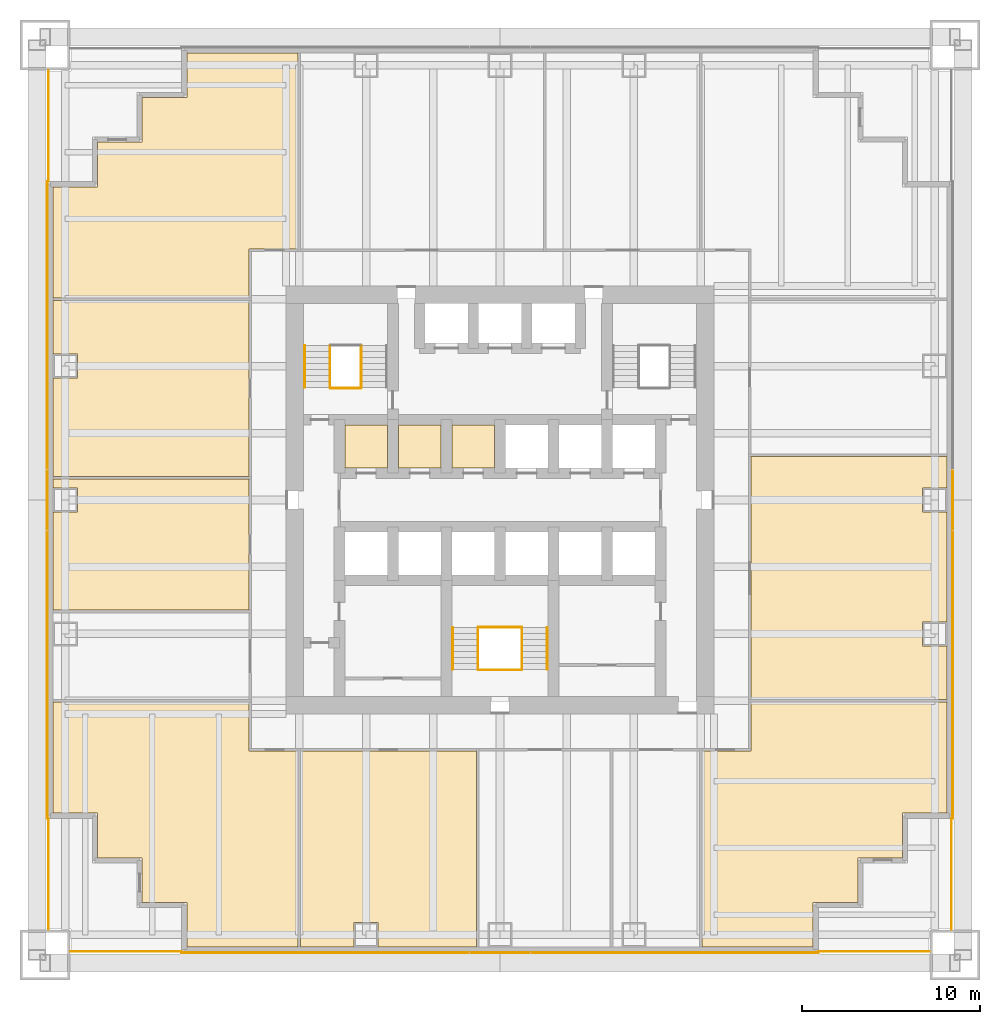
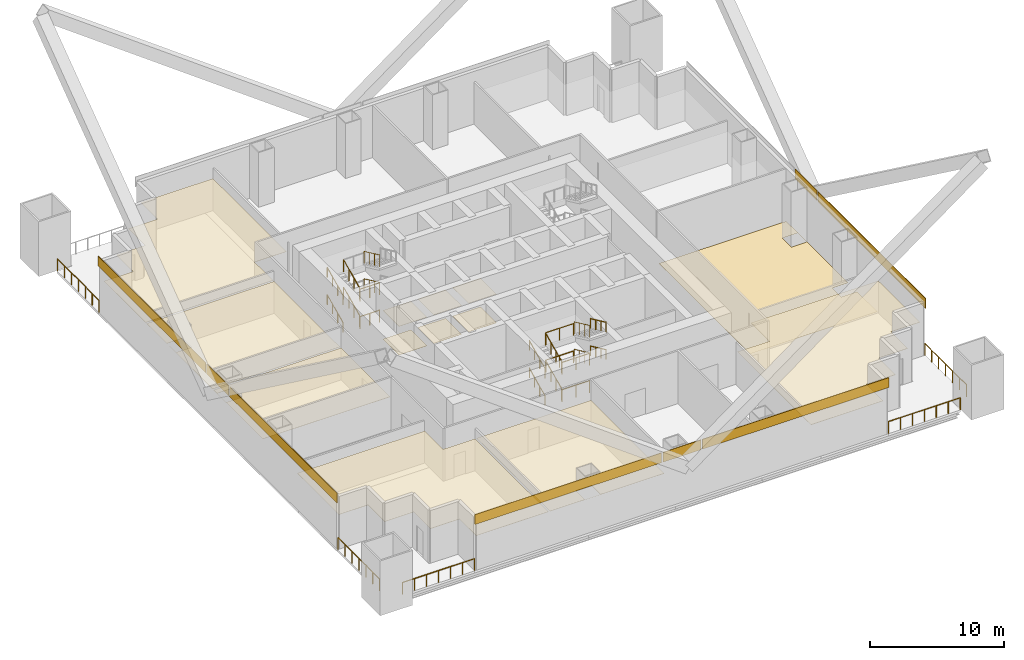
# One storey, part 5 of 6: 25 railings, 21 coverings.
"""IFC4 building model written with IfcOpenShell, lengths in metres."""

from ifc_helpers import new_model, si_unit, direction, frame, origin, origin_2d, place, context, subcontext, project, spatial, polyline, rectangle, circle, outline, extrude, material, layer, layer_set, type_object, element, save


model = new_model("IFC4")

# Units and contexts
model_context = context("Model", 3, precision=1e-05, world=origin(), true_north=direction((0.0, 1.0)))
body_context = subcontext(model_context, "Body", "Model", "MODEL_VIEW")
ifc_project = project(units=[si_unit("LENGTHUNIT", "METRE"), si_unit("AREAUNIT", "SQUARE_METRE"), si_unit("VOLUMEUNIT", "CUBIC_METRE"), si_unit("PLANEANGLEUNIT", "RADIAN"), si_unit("MASSUNIT", "GRAM", prefix="KILO")], contexts=[model_context])

# Site, building, storey
site_placement = place(None, origin())
site = spatial("IfcSite", under=ifc_project, at=site_placement, CompositionType="ELEMENT")
building_placement = place(site_placement, origin())
building = spatial("IfcBuilding", under=site, at=building_placement, Name="Tarangal Relay Tower", CompositionType="ELEMENT")
storey_placement = place(building_placement, frame((0.0, 0.0, 38.39990234375)))
storey = spatial("IfcBuildingStorey", under=building, at=storey_placement, Name="L07", CompositionType="ELEMENT", Elevation=38.39990234375)

# Coverings
ifc_material_1 = material(Name="Anti-static vinyl flooring", Category="plastic")
ifc_layer_1 = layer(ifc_material_1, 0.010009765625)
ifc_layer_set_1 = layer_set([ifc_layer_1], Name="Anti-static vinyl floor")
covering_type_1 = type_object("IfcCoveringType", Name="Anti-static vinyl floor", PredefinedType="FLOORING", material=ifc_layer_set_1)
covering_1_placement = place(storey_placement, origin())
element("IfcCovering", 1, at=covering_1_placement, inside=storey, type_object=covering_type_1, Name="Floor finish FL1 L07-D1", PredefinedType="FLOORING", context=body_context, shape_type="SweptSolid", body=[
    extrude(outline(polyline([(-8.699951171875, 1.800048828125), (-6.300048828125, 1.800048828125), (-6.300048828125, 4.199951171875), (-8.699951171875, 4.199951171875), (-8.699951171875, 1.800048828125)])), origin(), (0.0, 0.0, 1.0), 0.010009765625),
])
covering_2_placement = place(storey_placement, origin())
element("IfcCovering", 2, at=covering_2_placement, inside=storey, type_object=covering_type_1, Name="Floor finish FL1 L07-D2", PredefinedType="FLOORING", context=body_context, shape_type="SweptSolid", body=[
    extrude(outline(polyline([(-5.699951171875, 1.800048828125), (-3.300048828125, 1.800048828125), (-3.300048828125, 4.199951171875), (-5.699951171875, 4.199951171875), (-5.699951171875, 1.800048828125)])), origin(), (0.0, 0.0, 1.0), 0.010009765625),
])
covering_3_placement = place(storey_placement, origin())
element("IfcCovering", 3, at=covering_3_placement, inside=storey, type_object=covering_type_1, Name="Floor finish FL1 L07-D3", PredefinedType="FLOORING", context=body_context, shape_type="SweptSolid", body=[
    extrude(outline(polyline([(-2.699951171875, 1.800048828125), (-0.300048828125, 1.800048828125), (-0.300048828125, 4.199951171875), (-2.699951171875, 4.199951171875), (-2.699951171875, 1.800048828125)])), origin(), (0.0, 0.0, 1.0), 0.010009765625),
])
covering_4_placement = place(storey_placement, origin())
element("IfcCovering", 4, at=covering_4_placement, inside=storey, type_object=covering_type_1, Name="Floor finish FL1 L07-05", PredefinedType="FLOORING", context=body_context, shape_type="SweptSolid", body=[
    extrude(outline(polyline([(25.050048828125, -11.175048828125), (25.050048828125, 2.425048828125), (14.074951171875, 2.425048828125), (14.074951171875, -11.175048828125), (25.050048828125, -11.175048828125)]), holes=[polyline([(25.0400390625, -8.175048828125), (25.0400390625, -6.824951171875), (23.68994140625, -6.824951171875), (23.68994140625, -8.175048828125), (25.0400390625, -8.175048828125)]), polyline([(25.0400390625, -0.675048828125), (25.0400390625, 0.675048828125), (23.68994140625, 0.675048828125), (23.68994140625, -0.675048828125), (25.0400390625, -0.675048828125)])]), origin(), (0.0, 0.0, 1.0), 0.010009765625),
])
ifc_material_2 = material(Name="Black anodised aluminium cladding", Category="aluminium")
ifc_layer_2 = layer(ifc_material_2, 0.050048828125)
ifc_layer_set_2 = layer_set([ifc_layer_2], Name="Black metal spandrel band")
covering_type_2 = type_object("IfcCoveringType", Name="Black metal spandrel band", PredefinedType="CLADDING", material=ifc_layer_set_2)
covering_5_placement = place(storey_placement, frame((25.375, 0.0, 4.250244140625), z_axis=(0.0, 0.0, 1.0), x_axis=(0.0, -1.0, 0.0)))
element("IfcCovering", 5, at=covering_5_placement, inside=storey, type_object=covering_type_2, Name="Spandrel band SB1 E L07", PredefinedType="CLADDING", context=body_context, shape_type="SweptSolid", body=[
    extrude(rectangle(XDim=3.260009765625, YDim=0.050048828125, at=origin_2d()), origin(), (0.0, 0.0, 1.0), 0.89990234375),
])
for number, where, z_axis, x_axis, name in (
    (6, (25.375, -9.81005859375, 4.250244140625), (0.0, 0.0, 1.0), (0.0, -1.0, 0.0), "Spandrel band SB1 E L07"),
    (7, (9.81005859375, -25.375, 4.250244140625), (0.0, 0.0, 1.0), (-1.0, 0.0, 0.0), "Spandrel band SB1 S L07"),
):
    element("IfcCovering", number, at=place(storey_placement, frame(where, z_axis=z_axis, x_axis=x_axis)), inside=storey, type_object=covering_type_2, Name=name, PredefinedType="CLADDING", context=body_context, shape_type="SweptSolid", body=[
        extrude(rectangle(XDim=16.080078125, YDim=0.050048828125, at=origin_2d()), origin(), (0.0, 0.0, 1.0), 0.89990234375),
    ])
covering_6_placement = place(storey_placement, frame((0.0, -25.375, 4.250244140625), z_axis=(0.0, 0.0, 1.0), x_axis=(-1.0, 0.0, 0.0)))
element("IfcCovering", 8, at=covering_6_placement, inside=storey, type_object=covering_type_2, Name="Spandrel band SB1 S L07", PredefinedType="CLADDING", context=body_context, shape_type="SweptSolid", body=[
    extrude(rectangle(XDim=3.260009765625, YDim=0.050048828125, at=origin_2d()), origin(), (0.0, 0.0, 1.0), 0.89990234375),
])
for number, where, z_axis, x_axis, name in (
    (9, (-9.81005859375, -25.375, 4.250244140625), (0.0, 0.0, 1.0), (-1.0, 0.0, 0.0), "Spandrel band SB1 S L07"),
    (10, (-25.375, -9.81005859375, 4.250244140625), (0.0, 0.0, 1.0), (0.0, 1.0, 0.0), "Spandrel band SB1 W L07"),
):
    element("IfcCovering", number, at=place(storey_placement, frame(where, z_axis=z_axis, x_axis=x_axis)), inside=storey, type_object=covering_type_2, Name=name, PredefinedType="CLADDING", context=body_context, shape_type="SweptSolid", body=[
        extrude(rectangle(XDim=16.080078125, YDim=0.050048828125, at=origin_2d()), origin(), (0.0, 0.0, 1.0), 0.89990234375),
    ])
covering_7_placement = place(storey_placement, frame((-25.375, 0.0, 4.250244140625), z_axis=(0.0, 0.0, 1.0), x_axis=(0.0, 1.0, 0.0)))
element("IfcCovering", 11, at=covering_7_placement, inside=storey, type_object=covering_type_2, Name="Spandrel band SB1 W L07", PredefinedType="CLADDING", context=body_context, shape_type="SweptSolid", body=[
    extrude(rectangle(XDim=3.260009765625, YDim=0.050048828125, at=origin_2d()), origin(), (0.0, 0.0, 1.0), 0.89990234375),
])
covering_8_placement = place(storey_placement, frame((-25.375, 9.81005859375, 4.250244140625), z_axis=(0.0, 0.0, 1.0), x_axis=(0.0, 1.0, 0.0)))
element("IfcCovering", 12, at=covering_8_placement, inside=storey, type_object=covering_type_2, Name="Spandrel band SB1 W L07", PredefinedType="CLADDING", context=body_context, shape_type="SweptSolid", body=[
    extrude(rectangle(XDim=16.080078125, YDim=0.050048828125, at=origin_2d()), origin(), (0.0, 0.0, 1.0), 0.89990234375),
])

# Railings
ifc_material_3 = material(Name="Steel guard, black finish", Category="steel")
railing_type_1 = type_object("IfcRailingType", Name="Stair guard 1100", PredefinedType="GUARDRAIL", material=ifc_material_3)
railing_1_placement = place(storey_placement, frame((-9.530029296875, 6.300048828125, 0.15625)))
element("IfcRailing", 13, at=railing_1_placement, inside=storey, type_object=railing_type_1, Name="Stair ST-A guard GR1 L07 flight 1", PredefinedType="GUARDRAIL", context=body_context, shape_type="SweptSolid", body=[
    extrude(circle(Radius=0.02392578125, at=origin_2d()), frame((0.0, 0.0, 1.076171875), z_axis=(0.0, 0.90626748934, 0.422704669676), x_axis=(-1.0, 0.0, 0.0)), (0.0, 0.0, 1.0), 2.58740234375),
    extrude(circle(Radius=0.02099609375, at=origin_2d()), origin(), (0.0, 0.0, 1.0), 1.052001953125),
    extrude(circle(Radius=0.02099609375, at=origin_2d()), frame((0.0, 0.78173828125, 0.364501953125)), (0.0, 0.0, 1.0), 1.052001953125),
    extrude(circle(Radius=0.02099609375, at=origin_2d()), frame((0.0, 1.563232421875, 0.729248046875)), (0.0, 0.0, 1.0), 1.052001953125),
    extrude(circle(Radius=0.02099609375, at=origin_2d()), frame((0.0, 2.344970703125, 1.09375)), (0.0, 0.0, 1.0), 1.052001953125),
])
railing_2_placement = place(storey_placement, frame((-7.77001953125, 8.64501953125, 1.40625)))
element("IfcRailing", 14, at=railing_2_placement, inside=storey, type_object=railing_type_1, Name="Stair ST-A guard GR1 L07 flight 2", PredefinedType="GUARDRAIL", context=body_context, shape_type="SweptSolid", body=[
    extrude(circle(Radius=0.02392578125, at=origin_2d()), frame((0.0, 0.0, 1.076171875), z_axis=(0.0, -0.90626748934, 0.422704669676), x_axis=(1.0, 0.0, 0.0)), (0.0, 0.0, 1.0), 2.58740234375),
    extrude(circle(Radius=0.02099609375, at=origin_2d()), origin(), (0.0, 0.0, 1.0), 1.052001953125),
    extrude(circle(Radius=0.02099609375, at=origin_2d()), frame((0.0, -0.78173828125, 0.364501953125)), (0.0, 0.0, 1.0), 1.052001953125),
    extrude(circle(Radius=0.02099609375, at=origin_2d()), frame((0.0, -1.563232421875, 0.729248046875)), (0.0, 0.0, 1.0), 1.052001953125),
    extrude(circle(Radius=0.02099609375, at=origin_2d()), frame((0.0, -2.344970703125, 1.09375)), (0.0, 0.0, 1.0), 1.052001953125),
])
railing_3_placement = place(storey_placement, frame((-9.530029296875, 6.300048828125, 2.65625)))
element("IfcRailing", 15, at=railing_3_placement, inside=storey, type_object=railing_type_1, Name="Stair ST-A guard GR1 L07 flight 3", PredefinedType="GUARDRAIL", context=body_context, shape_type="SweptSolid", body=[
    extrude(circle(Radius=0.02392578125, at=origin_2d()), frame((0.0, 0.0, 1.076171875), z_axis=(0.0, 0.90626748934, 0.422704669676), x_axis=(-1.0, 0.0, 0.0)), (0.0, 0.0, 1.0), 2.58740234375),
    extrude(circle(Radius=0.02099609375, at=origin_2d()), origin(), (0.0, 0.0, 1.0), 1.052001953125),
    extrude(circle(Radius=0.02099609375, at=origin_2d()), frame((0.0, 0.78173828125, 0.364501953125)), (0.0, 0.0, 1.0), 1.052001953125),
    extrude(circle(Radius=0.02099609375, at=origin_2d()), frame((0.0, 1.563232421875, 0.729248046875)), (0.0, 0.0, 1.0), 1.052001953125),
    extrude(circle(Radius=0.02099609375, at=origin_2d()), frame((0.0, 2.344970703125, 1.09375)), (0.0, 0.0, 1.0), 1.052001953125),
])
railing_4_placement = place(storey_placement, frame((-7.77001953125, 8.64501953125, 3.90625)))
element("IfcRailing", 16, at=railing_4_placement, inside=storey, type_object=railing_type_1, Name="Stair ST-A guard GR1 L07 flight 4", PredefinedType="GUARDRAIL", context=body_context, shape_type="SweptSolid", body=[
    extrude(circle(Radius=0.02392578125, at=origin_2d()), frame((0.0, 0.0, 1.076171875), z_axis=(0.0, -0.90626748934, 0.422704669676), x_axis=(1.0, 0.0, 0.0)), (0.0, 0.0, 1.0), 2.58740234375),
    extrude(circle(Radius=0.02099609375, at=origin_2d()), origin(), (0.0, 0.0, 1.0), 1.052001953125),
    extrude(circle(Radius=0.02099609375, at=origin_2d()), frame((0.0, -0.78173828125, 0.364501953125)), (0.0, 0.0, 1.0), 1.052001953125),
    extrude(circle(Radius=0.02099609375, at=origin_2d()), frame((0.0, -1.563232421875, 0.729248046875)), (0.0, 0.0, 1.0), 1.052001953125),
    extrude(circle(Radius=0.02099609375, at=origin_2d()), frame((0.0, -2.344970703125, 1.09375)), (0.0, 0.0, 1.0), 1.052001953125),
])
for number, where, name in (
    (17, (-9.5, 6.27001953125, 0.0), "Stair ST-A landing guard GR1 L07"),
    (18, (-9.5, 6.27001953125, 2.5), "Stair ST-A landing guard GR1 L07"),
):
    element("IfcRailing", number, at=place(storey_placement, frame(where)), inside=storey, type_object=railing_type_1, Name=name, PredefinedType="GUARDRAIL", context=body_context, shape_type="SweptSolid", body=[
        extrude(circle(Radius=0.02392578125, at=origin_2d()), frame((0.0, 0.0, 1.076171875), z_axis=(1.0, 0.0, 0.0), x_axis=(0.0, 1.0, 0.0)), (0.0, 0.0, 1.0), 1.699951171875),
        extrude(circle(Radius=0.02099609375, at=origin_2d()), origin(), (0.0, 0.0, 1.0), 1.052001953125),
        extrude(circle(Radius=0.02099609375, at=origin_2d()), frame((0.85009765625, 0.0, 0.0)), (0.0, 0.0, 1.0), 1.052001953125),
        extrude(circle(Radius=0.02099609375, at=origin_2d()), frame((1.699951171875, 0.0, 0.0)), (0.0, 0.0, 1.0), 1.052001953125),
    ])
railing_5_placement = place(storey_placement, frame((-1.22998046875, -9.5, 0.15625)))
element("IfcRailing", 19, at=railing_5_placement, inside=storey, type_object=railing_type_1, Name="Stair ST-C guard GR1 L07 flight 1", PredefinedType="GUARDRAIL", context=body_context, shape_type="SweptSolid", body=[
    extrude(circle(Radius=0.02392578125, at=origin_2d()), frame((0.0, 0.0, 1.076171875), z_axis=(0.0, 0.90626748934, 0.422704669676), x_axis=(-1.0, 0.0, 0.0)), (0.0, 0.0, 1.0), 2.58740234375),
    extrude(circle(Radius=0.02099609375, at=origin_2d()), origin(), (0.0, 0.0, 1.0), 1.052001953125),
    extrude(circle(Radius=0.02099609375, at=origin_2d()), frame((0.0, 0.78173828125, 0.364501953125)), (0.0, 0.0, 1.0), 1.052001953125),
    extrude(circle(Radius=0.02099609375, at=origin_2d()), frame((0.0, 1.563232421875, 0.729248046875)), (0.0, 0.0, 1.0), 1.052001953125),
    extrude(circle(Radius=0.02099609375, at=origin_2d()), frame((0.0, 2.344970703125, 1.09375)), (0.0, 0.0, 1.0), 1.052001953125),
])
railing_6_placement = place(storey_placement, frame((1.22998046875, -7.155029296875, 1.40625)))
element("IfcRailing", 20, at=railing_6_placement, inside=storey, type_object=railing_type_1, Name="Stair ST-C guard GR1 L07 flight 2", PredefinedType="GUARDRAIL", context=body_context, shape_type="SweptSolid", body=[
    extrude(circle(Radius=0.02392578125, at=origin_2d()), frame((0.0, 0.0, 1.076171875), z_axis=(0.0, -0.90626748934, 0.422704669676), x_axis=(1.0, 0.0, 0.0)), (0.0, 0.0, 1.0), 2.58740234375),
    extrude(circle(Radius=0.02099609375, at=origin_2d()), origin(), (0.0, 0.0, 1.0), 1.052001953125),
    extrude(circle(Radius=0.02099609375, at=origin_2d()), frame((0.0, -0.78173828125, 0.364501953125)), (0.0, 0.0, 1.0), 1.052001953125),
    extrude(circle(Radius=0.02099609375, at=origin_2d()), frame((0.0, -1.563232421875, 0.729248046875)), (0.0, 0.0, 1.0), 1.052001953125),
    extrude(circle(Radius=0.02099609375, at=origin_2d()), frame((0.0, -2.344970703125, 1.09375)), (0.0, 0.0, 1.0), 1.052001953125),
])
railing_7_placement = place(storey_placement, frame((-1.22998046875, -9.5, 2.65625)))
element("IfcRailing", 21, at=railing_7_placement, inside=storey, type_object=railing_type_1, Name="Stair ST-C guard GR1 L07 flight 3", PredefinedType="GUARDRAIL", context=body_context, shape_type="SweptSolid", body=[
    extrude(circle(Radius=0.02392578125, at=origin_2d()), frame((0.0, 0.0, 1.076171875), z_axis=(0.0, 0.90626748934, 0.422704669676), x_axis=(-1.0, 0.0, 0.0)), (0.0, 0.0, 1.0), 2.58740234375),
    extrude(circle(Radius=0.02099609375, at=origin_2d()), origin(), (0.0, 0.0, 1.0), 1.052001953125),
    extrude(circle(Radius=0.02099609375, at=origin_2d()), frame((0.0, 0.78173828125, 0.364501953125)), (0.0, 0.0, 1.0), 1.052001953125),
    extrude(circle(Radius=0.02099609375, at=origin_2d()), frame((0.0, 1.563232421875, 0.729248046875)), (0.0, 0.0, 1.0), 1.052001953125),
    extrude(circle(Radius=0.02099609375, at=origin_2d()), frame((0.0, 2.344970703125, 1.09375)), (0.0, 0.0, 1.0), 1.052001953125),
])
railing_8_placement = place(storey_placement, frame((1.22998046875, -7.155029296875, 3.90625)))
element("IfcRailing", 22, at=railing_8_placement, inside=storey, type_object=railing_type_1, Name="Stair ST-C guard GR1 L07 flight 4", PredefinedType="GUARDRAIL", context=body_context, shape_type="SweptSolid", body=[
    extrude(circle(Radius=0.02392578125, at=origin_2d()), frame((0.0, 0.0, 1.076171875), z_axis=(0.0, -0.90626748934, 0.422704669676), x_axis=(1.0, 0.0, 0.0)), (0.0, 0.0, 1.0), 2.58740234375),
    extrude(circle(Radius=0.02099609375, at=origin_2d()), origin(), (0.0, 0.0, 1.0), 1.052001953125),
    extrude(circle(Radius=0.02099609375, at=origin_2d()), frame((0.0, -0.78173828125, 0.364501953125)), (0.0, 0.0, 1.0), 1.052001953125),
    extrude(circle(Radius=0.02099609375, at=origin_2d()), frame((0.0, -1.563232421875, 0.729248046875)), (0.0, 0.0, 1.0), 1.052001953125),
    extrude(circle(Radius=0.02099609375, at=origin_2d()), frame((0.0, -2.344970703125, 1.09375)), (0.0, 0.0, 1.0), 1.052001953125),
])
for number, where, name in (
    (23, (-1.199951171875, -9.530029296875, 0.0), "Stair ST-C landing guard GR1 L07"),
    (24, (-1.199951171875, -7.125, 1.25), "Stair ST-C landing guard GR1 L07"),
    (25, (-1.199951171875, -9.530029296875, 2.5), "Stair ST-C landing guard GR1 L07"),
    (26, (-1.199951171875, -7.125, 3.75), "Stair ST-C landing guard GR1 L07"),
):
    element("IfcRailing", number, at=place(storey_placement, frame(where)), inside=storey, type_object=railing_type_1, Name=name, PredefinedType="GUARDRAIL", context=body_context, shape_type="SweptSolid", body=[
        extrude(circle(Radius=0.02392578125, at=origin_2d()), frame((0.0, 0.0, 1.076171875), z_axis=(1.0, 0.0, 0.0), x_axis=(0.0, 1.0, 0.0)), (0.0, 0.0, 1.0), 2.39990234375),
        extrude(circle(Radius=0.02099609375, at=origin_2d()), origin(), (0.0, 0.0, 1.0), 1.052001953125),
        extrude(circle(Radius=0.02099609375, at=origin_2d()), frame((1.199951171875, 0.0, 0.0)), (0.0, 0.0, 1.0), 1.052001953125),
        extrude(circle(Radius=0.02099609375, at=origin_2d()), frame((2.39990234375, 0.0, 0.0)), (0.0, 0.0, 1.0), 1.052001953125),
    ])
ifc_material_4 = material(Name="Steel handrail, black finish", Category="steel")
railing_type_2 = type_object("IfcRailingType", Name="Stair handrail 900", PredefinedType="HANDRAIL", material=ifc_material_4)
for number, where, name in (
    (27, (-10.93994140625, 6.300048828125, 0.15625), "Stair ST-A handrail HR1 L07 flight 1"),
    (28, (-10.93994140625, 6.300048828125, 2.65625), "Stair ST-A handrail HR1 L07 flight 3"),
    (29, (-2.639892578125, -9.5, 0.15625), "Stair ST-C handrail HR1 L07 flight 1"),
):
    element("IfcRailing", number, at=place(storey_placement, frame(where)), inside=storey, type_object=railing_type_2, Name=name, PredefinedType="HANDRAIL", context=body_context, shape_type="SweptSolid", body=[
        extrude(circle(Radius=0.02392578125, at=origin_2d()), frame((0.0, 0.0, 0.8759765625), z_axis=(0.0, 0.90626748934, 0.422704669676), x_axis=(-1.0, 0.0, 0.0)), (0.0, 0.0, 1.0), 2.58740234375),
        extrude(circle(Radius=0.02099609375, at=origin_2d()), origin(), (0.0, 0.0, 1.0), 0.851806640625),
        extrude(circle(Radius=0.02099609375, at=origin_2d()), frame((0.0, 0.78173828125, 0.364501953125)), (0.0, 0.0, 1.0), 0.851806640625),
        extrude(circle(Radius=0.02099609375, at=origin_2d()), frame((0.0, 1.563232421875, 0.729248046875)), (0.0, 0.0, 1.0), 0.851806640625),
        extrude(circle(Radius=0.02099609375, at=origin_2d()), frame((0.0, 2.344970703125, 1.09375)), (0.0, 0.0, 1.0), 0.851806640625),
    ])
railing_9_placement = place(storey_placement, frame((2.639892578125, -7.155029296875, 1.40625)))
element("IfcRailing", 30, at=railing_9_placement, inside=storey, type_object=railing_type_2, Name="Stair ST-C handrail HR1 L07 flight 2", PredefinedType="HANDRAIL", context=body_context, shape_type="SweptSolid", body=[
    extrude(circle(Radius=0.02392578125, at=origin_2d()), frame((0.0, 0.0, 0.8759765625), z_axis=(0.0, -0.90626748934, 0.422704669676), x_axis=(1.0, 0.0, 0.0)), (0.0, 0.0, 1.0), 2.58740234375),
    extrude(circle(Radius=0.02099609375, at=origin_2d()), origin(), (0.0, 0.0, 1.0), 0.851806640625),
    extrude(circle(Radius=0.02099609375, at=origin_2d()), frame((0.0, -0.78173828125, 0.364501953125)), (0.0, 0.0, 1.0), 0.851806640625),
    extrude(circle(Radius=0.02099609375, at=origin_2d()), frame((0.0, -1.563232421875, 0.729248046875)), (0.0, 0.0, 1.0), 0.851806640625),
    extrude(circle(Radius=0.02099609375, at=origin_2d()), frame((0.0, -2.344970703125, 1.09375)), (0.0, 0.0, 1.0), 0.851806640625),
])
railing_10_placement = place(storey_placement, frame((-2.639892578125, -9.5, 2.65625)))
element("IfcRailing", 31, at=railing_10_placement, inside=storey, type_object=railing_type_2, Name="Stair ST-C handrail HR1 L07 flight 3", PredefinedType="HANDRAIL", context=body_context, shape_type="SweptSolid", body=[
    extrude(circle(Radius=0.02392578125, at=origin_2d()), frame((0.0, 0.0, 0.8759765625), z_axis=(0.0, 0.90626748934, 0.422704669676), x_axis=(-1.0, 0.0, 0.0)), (0.0, 0.0, 1.0), 2.58740234375),
    extrude(circle(Radius=0.02099609375, at=origin_2d()), origin(), (0.0, 0.0, 1.0), 0.851806640625),
    extrude(circle(Radius=0.02099609375, at=origin_2d()), frame((0.0, 0.78173828125, 0.364501953125)), (0.0, 0.0, 1.0), 0.851806640625),
    extrude(circle(Radius=0.02099609375, at=origin_2d()), frame((0.0, 1.563232421875, 0.729248046875)), (0.0, 0.0, 1.0), 0.851806640625),
    extrude(circle(Radius=0.02099609375, at=origin_2d()), frame((0.0, 2.344970703125, 1.09375)), (0.0, 0.0, 1.0), 0.851806640625),
])
railing_11_placement = place(storey_placement, frame((2.639892578125, -7.155029296875, 3.90625)))
element("IfcRailing", 32, at=railing_11_placement, inside=storey, type_object=railing_type_2, Name="Stair ST-C handrail HR1 L07 flight 4", PredefinedType="HANDRAIL", context=body_context, shape_type="SweptSolid", body=[
    extrude(circle(Radius=0.02392578125, at=origin_2d()), frame((0.0, 0.0, 0.8759765625), z_axis=(0.0, -0.90626748934, 0.422704669676), x_axis=(1.0, 0.0, 0.0)), (0.0, 0.0, 1.0), 2.58740234375),
    extrude(circle(Radius=0.02099609375, at=origin_2d()), origin(), (0.0, 0.0, 1.0), 0.851806640625),
    extrude(circle(Radius=0.02099609375, at=origin_2d()), frame((0.0, -0.78173828125, 0.364501953125)), (0.0, 0.0, 1.0), 0.851806640625),
    extrude(circle(Radius=0.02099609375, at=origin_2d()), frame((0.0, -1.563232421875, 0.729248046875)), (0.0, 0.0, 1.0), 0.851806640625),
    extrude(circle(Radius=0.02099609375, at=origin_2d()), frame((0.0, -2.344970703125, 1.09375)), (0.0, 0.0, 1.0), 0.851806640625),
])

# Coverings
ifc_material_5 = material(Name="Mineral fibre ceiling tiles", Category="gypsum")
ifc_layer_3 = layer(ifc_material_5, 0.02001953125)
ifc_layer_set_3 = layer_set([ifc_layer_3], Name="Suspended ceiling")
covering_type_3 = type_object("IfcCoveringType", Name="Suspended ceiling", PredefinedType="CEILING", material=ifc_layer_set_3)
covering_9_placement = place(storey_placement, frame((0.0, 0.0, 2.60009765625)))
element("IfcCovering", 33, at=covering_9_placement, inside=storey, type_object=covering_type_3, Name="Suspended ceiling CL1 L07-D1", PredefinedType="CEILING", context=body_context, shape_type="SweptSolid", body=[
    extrude(outline(polyline([(-8.699951171875, 1.800048828125), (-6.300048828125, 1.800048828125), (-6.300048828125, 4.199951171875), (-8.699951171875, 4.199951171875), (-8.699951171875, 1.800048828125)])), origin(), (0.0, 0.0, 1.0), 0.02001953125),
])
covering_10_placement = place(storey_placement, frame((0.0, 0.0, 2.60009765625)))
element("IfcCovering", 34, at=covering_10_placement, inside=storey, type_object=covering_type_3, Name="Suspended ceiling CL1 L07-D2", PredefinedType="CEILING", context=body_context, shape_type="SweptSolid", body=[
    extrude(outline(polyline([(-5.699951171875, 1.800048828125), (-3.300048828125, 1.800048828125), (-3.300048828125, 4.199951171875), (-5.699951171875, 4.199951171875), (-5.699951171875, 1.800048828125)])), origin(), (0.0, 0.0, 1.0), 0.02001953125),
])
covering_11_placement = place(storey_placement, frame((0.0, 0.0, 2.60009765625)))
element("IfcCovering", 35, at=covering_11_placement, inside=storey, type_object=covering_type_3, Name="Suspended ceiling CL1 L07-D3", PredefinedType="CEILING", context=body_context, shape_type="SweptSolid", body=[
    extrude(outline(polyline([(-2.699951171875, 1.800048828125), (-0.300048828125, 1.800048828125), (-0.300048828125, 4.199951171875), (-2.699951171875, 4.199951171875), (-2.699951171875, 1.800048828125)])), origin(), (0.0, 0.0, 1.0), 0.02001953125),
])
covering_12_placement = place(storey_placement, frame((0.0, 0.0, 2.900146484375)))
element("IfcCovering", 36, at=covering_12_placement, inside=storey, type_object=covering_type_3, Name="Suspended ceiling CL1 L07-08", PredefinedType="CEILING", context=body_context, shape_type="SweptSolid", body=[
    extrude(outline(polyline([(-11.175048828125, -25.050048828125), (-1.324951171875, -25.050048828125), (-1.324951171875, -14.074951171875), (-11.175048828125, -14.074951171875), (-11.175048828125, -25.050048828125)]), holes=[polyline([(-6.824951171875, -23.68994140625), (-8.175048828125, -23.68994140625), (-8.175048828125, -25.0400390625), (-6.824951171875, -25.0400390625), (-6.824951171875, -23.68994140625)])]), origin(), (0.0, 0.0, 1.0), 0.02001953125),
])
covering_13_placement = place(storey_placement, frame((0.0, 0.0, 2.900146484375)))
element("IfcCovering", 37, at=covering_13_placement, inside=storey, type_object=covering_type_3, Name="Suspended ceiling CL1 L07-10", PredefinedType="CEILING", context=body_context, shape_type="SweptSolid", body=[
    extrude(outline(polyline([(-25.050048828125, 1.175048828125), (-25.050048828125, -6.175048828125), (-14.074951171875, -6.175048828125), (-14.074951171875, 1.175048828125), (-25.050048828125, 1.175048828125)]), holes=[polyline([(-23.68994140625, 0.675048828125), (-25.0400390625, 0.675048828125), (-25.0400390625, -0.675048828125), (-23.68994140625, -0.675048828125), (-23.68994140625, 0.675048828125)])]), origin(), (0.0, 0.0, 1.0), 0.02001953125),
])
covering_14_placement = place(storey_placement, frame((0.0, 0.0, 2.900146484375)))
element("IfcCovering", 38, at=covering_14_placement, inside=storey, type_object=covering_type_3, Name="Suspended ceiling CL1 L07-11", PredefinedType="CEILING", context=body_context, shape_type="SweptSolid", body=[
    extrude(outline(polyline([(-25.050048828125, 11.175048828125), (-25.050048828125, 1.324951171875), (-14.074951171875, 1.324951171875), (-14.074951171875, 11.175048828125), (-25.050048828125, 11.175048828125)]), holes=[polyline([(-23.68994140625, 8.175048828125), (-25.0400390625, 8.175048828125), (-25.0400390625, 6.824951171875), (-23.68994140625, 6.824951171875), (-23.68994140625, 8.175048828125)])]), origin(), (0.0, 0.0, 1.0), 0.02001953125),
])
covering_15_placement = place(storey_placement, frame((0.0, 0.0, 2.900146484375)))
element("IfcCovering", 39, at=covering_15_placement, inside=storey, type_object=covering_type_3, Name="Suspended ceiling CL1 L07-13", PredefinedType="CEILING", context=body_context, shape_type="SweptSolid", body=[
    extrude(outline(polyline([(25.050048828125, -17.550048828125), (25.050048828125, -11.324951171875), (14.074951171875, -11.324951171875), (14.074951171875, -14.074951171875), (11.324951171875, -14.074951171875), (11.324951171875, -25.050048828125), (17.550048828125, -25.050048828125), (17.550048828125, -22.550048828125), (20.050048828125, -22.550048828125), (20.050048828125, -20.050048828125), (22.550048828125, -20.050048828125), (22.550048828125, -17.550048828125), (25.050048828125, -17.550048828125)])), origin(), (0.0, 0.0, 1.0), 0.02001953125),
])
covering_16_placement = place(storey_placement, frame((0.0, 0.0, 2.900146484375)))
element("IfcCovering", 40, at=covering_16_placement, inside=storey, type_object=covering_type_3, Name="Suspended ceiling CL1 L07-14", PredefinedType="CEILING", context=body_context, shape_type="SweptSolid", body=[
    extrude(outline(polyline([(-17.550048828125, -22.550048828125), (-17.550048828125, -25.050048828125), (-11.324951171875, -25.050048828125), (-11.324951171875, -14.074951171875), (-14.074951171875, -14.074951171875), (-14.074951171875, -11.324951171875), (-25.050048828125, -11.324951171875), (-25.050048828125, -17.550048828125), (-22.550048828125, -17.550048828125), (-22.550048828125, -20.050048828125), (-20.050048828125, -20.050048828125), (-20.050048828125, -22.550048828125), (-17.550048828125, -22.550048828125)])), origin(), (0.0, 0.0, 1.0), 0.02001953125),
])
covering_17_placement = place(storey_placement, frame((0.0, 0.0, 2.900146484375)))
element("IfcCovering", 41, at=covering_17_placement, inside=storey, type_object=covering_type_3, Name="Suspended ceiling CL1 L07-15", PredefinedType="CEILING", context=body_context, shape_type="SweptSolid", body=[
    extrude(outline(polyline([(-22.550048828125, 17.550048828125), (-25.050048828125, 17.550048828125), (-25.050048828125, 11.324951171875), (-14.074951171875, 11.324951171875), (-14.074951171875, 14.074951171875), (-11.324951171875, 14.074951171875), (-11.324951171875, 25.050048828125), (-17.550048828125, 25.050048828125), (-17.550048828125, 22.550048828125), (-20.050048828125, 22.550048828125), (-20.050048828125, 20.050048828125), (-22.550048828125, 20.050048828125), (-22.550048828125, 17.550048828125)])), origin(), (0.0, 0.0, 1.0), 0.02001953125),
])

# Railings
ifc_material_6 = material(Name="Black steel guard with glass infill", Category="steel")
railing_type_3 = type_object("IfcRailingType", Name="Terrace guard 1100", PredefinedType="GUARDRAIL", material=ifc_material_6)
railing_12_placement = place(storey_placement, frame((25.300048828125, -17.85009765625, 0.0)))
element("IfcRailing", 42, at=railing_12_placement, inside=storey, type_object=railing_type_3, Name="Terrace guard GR2 SE L07", PredefinedType="GUARDRAIL", context=body_context, shape_type="SweptSolid", body=[
    extrude(circle(Radius=0.02392578125, at=origin_2d()), frame((0.0, 0.0, 1.076171875), z_axis=(0.0, -1.0, 0.0), x_axis=(1.0, 0.0, 0.0)), (0.0, 0.0, 1.0), 6.199951171875),
    extrude(circle(Radius=0.02099609375, at=origin_2d()), origin(), (0.0, 0.0, 1.0), 1.052001953125),
    extrude(circle(Radius=0.02099609375, at=origin_2d()), frame((0.0, -1.033203125, 0.0)), (0.0, 0.0, 1.0), 1.052001953125),
    extrude(circle(Radius=0.02099609375, at=origin_2d()), frame((0.0, -2.066650390625, 0.0)), (0.0, 0.0, 1.0), 1.052001953125),
    extrude(circle(Radius=0.02099609375, at=origin_2d()), frame((0.0, -3.10009765625, 0.0)), (0.0, 0.0, 1.0), 1.052001953125),
    extrude(circle(Radius=0.02099609375, at=origin_2d()), frame((0.0, -4.13330078125, 0.0)), (0.0, 0.0, 1.0), 1.052001953125),
    extrude(circle(Radius=0.02099609375, at=origin_2d()), frame((0.0, -5.16650390625, 0.0)), (0.0, 0.0, 1.0), 1.052001953125),
    extrude(circle(Radius=0.02099609375, at=origin_2d()), frame((0.0, -6.199951171875, 0.0)), (0.0, 0.0, 1.0), 1.052001953125),
])
for number, where, name in (
    (43, (24.050048828125, -25.300048828125, 0.0), "Terrace guard GR2 SE L07"),
    (44, (-17.85009765625, -25.300048828125, 0.0), "Terrace guard GR2 SW L07"),
):
    element("IfcRailing", number, at=place(storey_placement, frame(where)), inside=storey, type_object=railing_type_3, Name=name, PredefinedType="GUARDRAIL", context=body_context, shape_type="SweptSolid", body=[
        extrude(circle(Radius=0.02392578125, at=origin_2d()), frame((0.0, 0.0, 1.076171875), z_axis=(-1.0, 0.0, 0.0), x_axis=(0.0, -1.0, 0.0)), (0.0, 0.0, 1.0), 6.199951171875),
        extrude(circle(Radius=0.02099609375, at=origin_2d()), origin(), (0.0, 0.0, 1.0), 1.052001953125),
        extrude(circle(Radius=0.02099609375, at=origin_2d()), frame((-1.033203125, 0.0, 0.0)), (0.0, 0.0, 1.0), 1.052001953125),
        extrude(circle(Radius=0.02099609375, at=origin_2d()), frame((-2.066650390625, 0.0, 0.0)), (0.0, 0.0, 1.0), 1.052001953125),
        extrude(circle(Radius=0.02099609375, at=origin_2d()), frame((-3.10009765625, 0.0, 0.0)), (0.0, 0.0, 1.0), 1.052001953125),
        extrude(circle(Radius=0.02099609375, at=origin_2d()), frame((-4.13330078125, 0.0, 0.0)), (0.0, 0.0, 1.0), 1.052001953125),
        extrude(circle(Radius=0.02099609375, at=origin_2d()), frame((-5.16650390625, 0.0, 0.0)), (0.0, 0.0, 1.0), 1.052001953125),
        extrude(circle(Radius=0.02099609375, at=origin_2d()), frame((-6.199951171875, 0.0, 0.0)), (0.0, 0.0, 1.0), 1.052001953125),
    ])
for number, where, name in (
    (45, (-25.300048828125, -24.050048828125, 0.0), "Terrace guard GR2 SW L07"),
    (46, (-25.300048828125, 17.85009765625, 0.0), "Terrace guard GR2 NW L07"),
):
    element("IfcRailing", number, at=place(storey_placement, frame(where)), inside=storey, type_object=railing_type_3, Name=name, PredefinedType="GUARDRAIL", context=body_context, shape_type="SweptSolid", body=[
        extrude(circle(Radius=0.02392578125, at=origin_2d()), frame((0.0, 0.0, 1.076171875), z_axis=(0.0, 1.0, 0.0), x_axis=(-1.0, 0.0, 0.0)), (0.0, 0.0, 1.0), 6.199951171875),
        extrude(circle(Radius=0.02099609375, at=origin_2d()), origin(), (0.0, 0.0, 1.0), 1.052001953125),
        extrude(circle(Radius=0.02099609375, at=origin_2d()), frame((0.0, 1.033203125, 0.0)), (0.0, 0.0, 1.0), 1.052001953125),
        extrude(circle(Radius=0.02099609375, at=origin_2d()), frame((0.0, 2.066650390625, 0.0)), (0.0, 0.0, 1.0), 1.052001953125),
        extrude(circle(Radius=0.02099609375, at=origin_2d()), frame((0.0, 3.10009765625, 0.0)), (0.0, 0.0, 1.0), 1.052001953125),
        extrude(circle(Radius=0.02099609375, at=origin_2d()), frame((0.0, 4.13330078125, 0.0)), (0.0, 0.0, 1.0), 1.052001953125),
        extrude(circle(Radius=0.02099609375, at=origin_2d()), frame((0.0, 5.16650390625, 0.0)), (0.0, 0.0, 1.0), 1.052001953125),
        extrude(circle(Radius=0.02099609375, at=origin_2d()), frame((0.0, 6.199951171875, 0.0)), (0.0, 0.0, 1.0), 1.052001953125),
    ])

save(model, "model.ifc")
